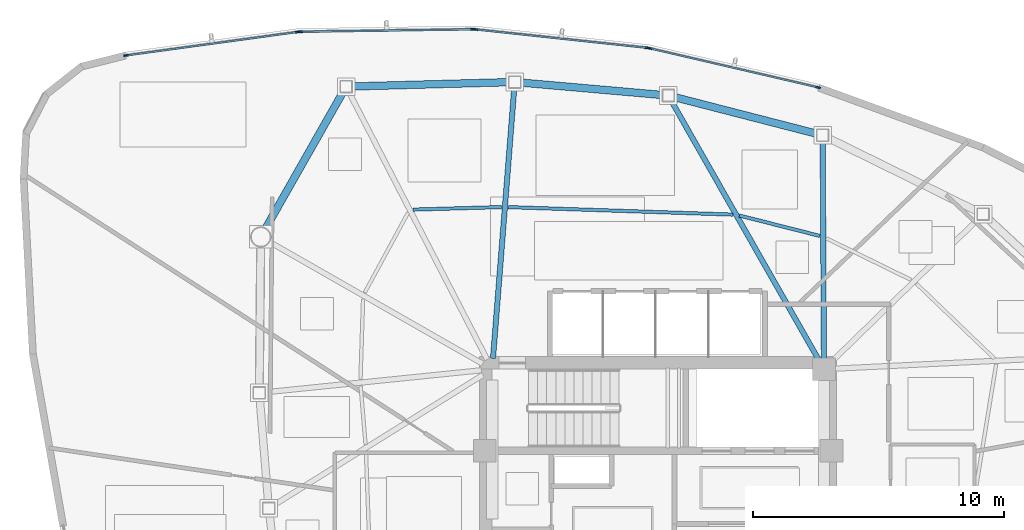
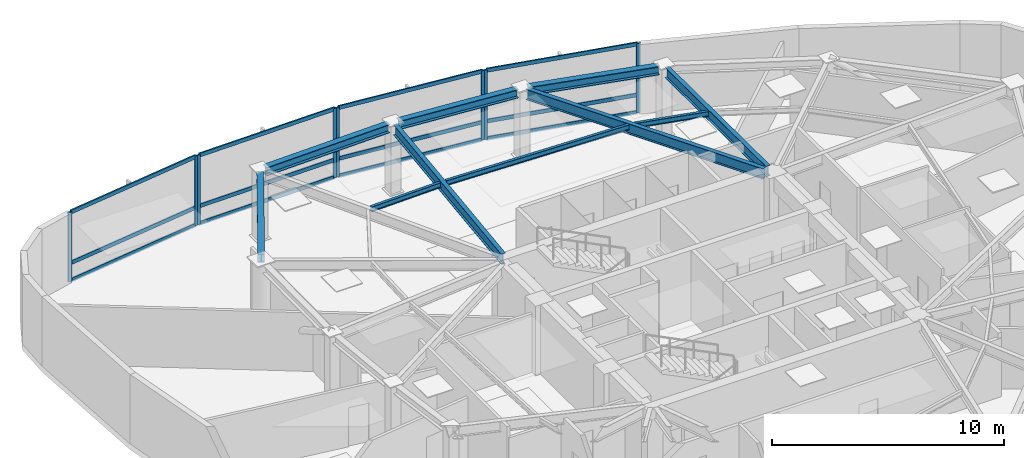
# One storey, part 6 of 14: 20 members, 10 beams, 4 elements without a shape of their own.
"""IFC4 building model written with IfcOpenShell, lengths in metres."""

from ifc_helpers import new_model, si_unit, direction, frame, origin, origin_2d, place, context, subcontext, project, spatial, hollow_rectangle, i_section, extrude, source, transform, mapped, material, layer, layer_set, material_profile, profile_set, type_object, type_shapes, element, aggregate, save


model = new_model("IFC4")

# Units and contexts
model_context = context("Model", 3, precision=1e-05, world=origin(), true_north=direction((0.0, 1.0)))
body_context = subcontext(model_context, "Body", "Model", "MODEL_VIEW")
ifc_project = project(units=[si_unit("LENGTHUNIT", "METRE"), si_unit("AREAUNIT", "SQUARE_METRE"), si_unit("VOLUMEUNIT", "CUBIC_METRE"), si_unit("PLANEANGLEUNIT", "RADIAN"), si_unit("MASSUNIT", "GRAM", prefix="KILO")], contexts=[model_context])

# Site, building, storey
site_placement = place(None, origin())
site = spatial("IfcSite", under=ifc_project, at=site_placement, CompositionType="ELEMENT")
building_placement = place(site_placement, origin())
building = spatial("IfcBuilding", under=site, at=building_placement, Name="Tavelor Broadcast Tower", CompositionType="ELEMENT")
storey_placement = place(building_placement, frame((0.0, 0.0, 253.75)))
storey = spatial("IfcBuildingStorey", under=building, at=storey_placement, Name="L60", CompositionType="ELEMENT", Elevation=253.75)

# Beams
ifc_material_1 = material(Name="Steel S355", Category="steel")
ifc_material_profile_1 = material_profile(ifc_material_1, i_section(OverallWidth=0.135009765625, OverallDepth=0.27001953125, WebThickness=0.006591796875, FlangeThickness=0.01025390625, at=origin_2d()), Name="IPE 270")
ifc_profile_set_1 = profile_set([ifc_material_profile_1], Name="Steel S355")
beam_type_1 = type_object("IfcBeamType", Name="Composite Floor Joist T6 IPE 270", PredefinedType="JOIST", material=ifc_profile_set_1)
beam_1_placement = place(storey_placement, frame((56.439208984375, 56.498779296875, 3.514892578125), z_axis=(-0.969346722977, 0.245696826706, 0.0), x_axis=(-0.245696826706, -0.969346722977, 0.0)))
element("IfcBeam", 1, at=beam_1_placement, inside=storey, type_object=beam_type_1, Name="L60 Secondary Composite Floor Joist 15", PredefinedType="JOIST", context=body_context, shape_type="SweptSolid", body=[
    extrude(i_section(OverallWidth=0.135009765625, OverallDepth=0.27001953125, WebThickness=0.006591796875, FlangeThickness=0.01025390625, at=origin_2d()), origin(), (0.0, 0.0, 1.0), 3.305908203125),
])
beam_2_placement = place(storey_placement, frame((52.970458984375, 57.348388671875, 3.514892578125), z_axis=(-0.999441322178, 0.033422201056, 0.0), x_axis=(-0.033422201056, -0.999441322178, 0.0)))
element("IfcBeam", 2, at=beam_2_placement, inside=storey, type_object=beam_type_1, Name="L60 Secondary Composite Floor Joist 16", PredefinedType="JOIST", context=body_context, shape_type="SweptSolid", body=[
    extrude(i_section(OverallWidth=0.135009765625, OverallDepth=0.27001953125, WebThickness=0.006591796875, FlangeThickness=0.01025390625, at=origin_2d()), origin(), (0.0, 0.0, 1.0), 8.93359375),
])
beam_3_placement = place(storey_placement, frame((43.773681640625, 57.647705078125, 3.514892578125), z_axis=(-0.999591520458, -0.028579577129, 0.0), x_axis=(0.028579577129, -0.999591520458, 0.0)))
element("IfcBeam", 3, at=beam_3_placement, inside=storey, type_object=beam_type_1, Name="L60 Secondary Composite Floor Joist 17", PredefinedType="JOIST", context=body_context, shape_type="SweptSolid", body=[
    extrude(i_section(OverallWidth=0.135009765625, OverallDepth=0.27001953125, WebThickness=0.006591796875, FlangeThickness=0.01025390625, at=origin_2d()), origin(), (0.0, 0.0, 1.0), 3.51953125),
])
ifc_material_profile_2 = material_profile(ifc_material_1, i_section(OverallWidth=0.300048828125, OverallDepth=0.449951171875, WebThickness=0.013916015625, FlangeThickness=0.02587890625, at=origin_2d()), Name="HEB 450")
ifc_profile_set_2 = profile_set([ifc_material_profile_2], Name="Steel S355")
beam_type_2 = type_object("IfcBeamType", Name="Perimeter Spandrel Beam T6 HEB 450", PredefinedType="SPANDREL", material=ifc_profile_set_2)
beam_4_placement = place(storey_placement, frame((56.313232421875, 60.56396484375, 3.425048828125), z_axis=(-0.968399822455, 0.249402854572, 0.0), x_axis=(-0.249402854572, -0.968399822455, 0.0)))
element("IfcBeam", 4, at=beam_4_placement, inside=storey, type_object=beam_type_2, Name="L60 Framed-Tube Ring Spandrel 15", PredefinedType="SPANDREL", context=body_context, shape_type="SweptSolid", body=[
    extrude(i_section(OverallWidth=0.300048828125, OverallDepth=0.449951171875, WebThickness=0.013916015625, FlangeThickness=0.02587890625, at=origin_2d()), origin(), (0.0, 0.0, 1.0), 5.858642578125),
])
beam_5_placement = place(storey_placement, frame((50.168212890625, 62.10595703125, 3.425048828125), z_axis=(-0.996167133993, 0.08747023009, 0.0), x_axis=(-0.08747023009, -0.996167133993, 0.0)))
element("IfcBeam", 5, at=beam_5_placement, inside=storey, type_object=beam_type_2, Name="L60 Framed-Tube Ring Spandrel 16", PredefinedType="SPANDREL", context=body_context, shape_type="SweptSolid", body=[
    extrude(i_section(OverallWidth=0.300048828125, OverallDepth=0.449951171875, WebThickness=0.013916015625, FlangeThickness=0.02587890625, at=origin_2d()), origin(), (0.0, 0.0, 1.0), 5.652099609375),
])
beam_6_placement = place(storey_placement, frame((44.058837890625, 62.61474609375, 3.425048828125), z_axis=(-0.99963121329, -0.027155798934, 0.0), x_axis=(0.027155798934, -0.99963121329, 0.0)))
element("IfcBeam", 6, at=beam_6_placement, inside=storey, type_object=beam_type_2, Name="L60 Framed-Tube Ring Spandrel 17", PredefinedType="SPANDREL", context=body_context, shape_type="SweptSolid", body=[
    extrude(i_section(OverallWidth=0.300048828125, OverallDepth=0.449951171875, WebThickness=0.013916015625, FlangeThickness=0.02587890625, at=origin_2d()), origin(), (0.0, 0.0, 1.0), 6.230224609375),
])
beam_7_placement = place(storey_placement, frame((37.472412109375, 62.23046875, 3.425048828125), z_axis=(-0.493720585512, -0.869620597411, 0.0), x_axis=(0.869620597411, -0.493720585512, 0.0)))
element("IfcBeam", 7, at=beam_7_placement, inside=storey, type_object=beam_type_2, Name="L60 Framed-Tube Ring Spandrel 18", PredefinedType="SPANDREL", context=body_context, shape_type="SweptSolid", body=[
    extrude(i_section(OverallWidth=0.300048828125, OverallDepth=0.449951171875, WebThickness=0.013916015625, FlangeThickness=0.02587890625, at=origin_2d()), origin(), (0.0, 0.0, 1.0), 6.245361328125),
])
ifc_material_profile_3 = material_profile(ifc_material_1, i_section(OverallWidth=0.2099609375, OverallDepth=0.550048828125, WebThickness=0.010986328125, FlangeThickness=0.01708984375, at=origin_2d()), Name="IPE 550")
ifc_profile_set_3 = profile_set([ifc_material_profile_3], Name="Steel S355")
beam_type_3 = type_object("IfcBeamType", Name="Radial Floor Girder T6 IPE 550", PredefinedType="BEAM", material=ifc_profile_set_3)
beam_8_placement = place(storey_placement, frame((56.597412109375, 51.632080078125, 3.375), z_axis=(-0.005826187281, 0.999983027627, 0.0), x_axis=(-0.999983027627, -0.005826187281, 0.0)))
element("IfcBeam", 8, at=beam_8_placement, inside=storey, type_object=beam_type_3, Name="L60 Radial Primary Floor Girder 15", PredefinedType="BEAM", context=body_context, shape_type="SweptSolid", body=[
    extrude(i_section(OverallWidth=0.2099609375, OverallDepth=0.550048828125, WebThickness=0.010986328125, FlangeThickness=0.01708984375, at=origin_2d()), origin(), (0.0, 0.0, 1.0), 8.63232421875),
])
beam_9_placement = place(storey_placement, frame((56.386474609375, 51.575439453125, 3.375), z_axis=(-0.49450305234, 0.869175891996, 0.0), x_axis=(-0.869175891996, -0.49450305234, 0.0)))
element("IfcBeam", 9, at=beam_9_placement, inside=storey, type_object=beam_type_3, Name="L60 Radial Primary Floor Girder 16", PredefinedType="BEAM", context=body_context, shape_type="SweptSolid", body=[
    extrude(i_section(OverallWidth=0.2099609375, OverallDepth=0.550048828125, WebThickness=0.010986328125, FlangeThickness=0.01708984375, at=origin_2d()), origin(), (0.0, 0.0, 1.0), 11.8515625),
])
beam_10_placement = place(storey_placement, frame((43.433837890625, 51.630615234375, 3.375), z_axis=(0.078462115784, 0.996917096045, 0.0), x_axis=(-0.996917096045, 0.078462115784, 0.0)))
element("IfcBeam", 10, at=beam_10_placement, inside=storey, type_object=beam_type_3, Name="L60 Radial Primary Floor Girder 17", PredefinedType="BEAM", context=body_context, shape_type="SweptSolid", body=[
    extrude(i_section(OverallWidth=0.2099609375, OverallDepth=0.550048828125, WebThickness=0.010986328125, FlangeThickness=0.01708984375, at=origin_2d()), origin(), (0.0, 0.0, 1.0), 10.78466796875),
])

# Curtain wall, members
ifc_material_2 = material(Name="Architectural Anodized Aluminium", Category="aluminium")
ifc_layer = layer(ifc_material_2, 0.199951171875)
ifc_layer_set = layer_set([ifc_layer], Name="Architectural Anodized Aluminium")
curtain_wall_type = type_object("IfcCurtainWallType", Name="Tower High-Zone Triple-Glazed Curtain Wall CW04", PredefinedType="NOTDEFINED", material=ifc_layer_set)
curtain_wall_1_placement = place(storey_placement, origin())
curtain_wall_1 = element("IfcCurtainWall", 11, at=curtain_wall_1_placement, inside=storey, type_object=curtain_wall_type, Name="L60 Curtain Wall CW04 Run 657", PredefinedType="NOTDEFINED")
ifc_material_profile_4 = material_profile(ifc_material_2, hollow_rectangle(XDim=0.070068359375, YDim=0.199951171875, WallThickness=0.02197265625, at=origin_2d()), Name="RHS 70x200x22")
ifc_profile_set_4 = profile_set([ifc_material_profile_4], Name="Architectural Anodized Aluminium")
member_type_1 = type_object("IfcMemberType", Name="CW04 Extruded Aluminium Mullion 70x200", PredefinedType="MULLION", material=ifc_profile_set_4)
shared_shape_1 = source(origin(), body_context, "Body", "SweptSolid", [
    extrude(hollow_rectangle(XDim=0.070068359375, YDim=0.199951171875, WallThickness=0.02197265625, at=origin_2d()), origin(), (0.0, 0.0, 1.0), 3.64990234375),
])
type_shapes(member_type_1, [shared_shape_1])
member_1_placement = place(storey_placement, frame((56.361083984375, 62.4072265625, 0.0), z_axis=(0.0, 0.0, 1.0), x_axis=(-0.226230375807, -0.974073825263, 0.0)))
member_1 = element("IfcMember", 12, at=member_1_placement, type_object=member_type_1, Name="CW04 mullion 1", PredefinedType="MULLION", context=body_context, shape_type="MappedRepresentation", body=[
    mapped(shared_shape_1, transform((0.0, 0.0, 0.0), scale=1.0)),
])
member_2_placement = place(storey_placement, frame((49.658203125, 63.964111328125, 0.0), z_axis=(0.0, 0.0, 1.0), x_axis=(-0.226230375807, -0.974073825263, 0.0)))
member_2 = element("IfcMember", 13, at=member_2_placement, type_object=member_type_1, Name="CW04 mullion 2", PredefinedType="MULLION", context=body_context, shape_type="MappedRepresentation", body=[
    mapped(shared_shape_1, transform((0.0, 0.0, 0.0), scale=1.0)),
])

curtain_wall_2_placement = place(storey_placement, origin())
curtain_wall_2 = element("IfcCurtainWall", 14, at=curtain_wall_2_placement, inside=storey, type_object=curtain_wall_type, Name="L60 Curtain Wall CW04 Run 658", PredefinedType="NOTDEFINED")
member_3_placement = place(storey_placement, frame((49.559814453125, 63.980712890625, 0.0), z_axis=(0.0, 0.0, 1.0), x_axis=(-0.106685327409, -0.994292834589, 0.0)))
member_3 = element("IfcMember", 15, at=member_3_placement, type_object=member_type_1, Name="CW04 mullion 1", PredefinedType="MULLION", context=body_context, shape_type="MappedRepresentation", body=[
    mapped(shared_shape_1, transform((0.0, 0.0, 0.0), scale=1.0)),
])
member_4_placement = place(storey_placement, frame((42.732666015625, 64.71337890625, 0.0), z_axis=(0.0, 0.0, 1.0), x_axis=(-0.106685327409, -0.994292834589, 0.0)))
member_4 = element("IfcMember", 16, at=member_4_placement, type_object=member_type_1, Name="CW04 mullion 2", PredefinedType="MULLION", context=body_context, shape_type="MappedRepresentation", body=[
    mapped(shared_shape_1, transform((0.0, 0.0, 0.0), scale=1.0)),
])

curtain_wall_3_placement = place(storey_placement, origin())
curtain_wall_3 = element("IfcCurtainWall", 17, at=curtain_wall_3_placement, inside=storey, type_object=curtain_wall_type, Name="L60 Curtain Wall CW04 Run 659", PredefinedType="NOTDEFINED")
member_5_placement = place(storey_placement, frame((42.6328125, 64.718017578125, 0.0), z_axis=(0.0, 0.0, 1.0), x_axis=(0.014402450874, -0.999896279325, 0.0)))
member_5 = element("IfcMember", 18, at=member_5_placement, type_object=member_type_1, Name="CW04 mullion 1", PredefinedType="MULLION", context=body_context, shape_type="MappedRepresentation", body=[
    mapped(shared_shape_1, transform((0.0, 0.0, 0.0), scale=1.0)),
])
member_6_placement = place(storey_placement, frame((35.767333984375, 64.618896484375, 0.0), z_axis=(0.0, 0.0, 1.0), x_axis=(0.014402450874, -0.999896279325, 0.0)))
member_6 = element("IfcMember", 19, at=member_6_placement, type_object=member_type_1, Name="CW04 mullion 2", PredefinedType="MULLION", context=body_context, shape_type="MappedRepresentation", body=[
    mapped(shared_shape_1, transform((0.0, 0.0, 0.0), scale=1.0)),
])

curtain_wall_4_placement = place(storey_placement, origin())
curtain_wall_4 = element("IfcCurtainWall", 20, at=curtain_wall_4_placement, inside=storey, type_object=curtain_wall_type, Name="L60 Curtain Wall CW04 Run 660", PredefinedType="NOTDEFINED")
member_7_placement = place(storey_placement, frame((35.667724609375, 64.611572265625, 0.0), z_axis=(0.0, 0.0, 1.0), x_axis=(0.135308974305, -0.990803452493, 0.0)))
member_7 = element("IfcMember", 21, at=member_7_placement, type_object=member_type_1, Name="CW04 mullion 1", PredefinedType="MULLION", context=body_context, shape_type="MappedRepresentation", body=[
    mapped(shared_shape_1, transform((0.0, 0.0, 0.0), scale=1.0)),
])
member_8_placement = place(storey_placement, frame((28.848876953125, 63.68017578125, 0.0), z_axis=(0.0, 0.0, 1.0), x_axis=(0.135308974305, -0.990803452493, 0.0)))
member_8 = element("IfcMember", 22, at=member_8_placement, type_object=member_type_1, Name="CW04 mullion 2", PredefinedType="MULLION", context=body_context, shape_type="MappedRepresentation", body=[
    mapped(shared_shape_1, transform((0.0, 0.0, 0.0), scale=1.0)),
])

# Member
ifc_material_profile_5 = material_profile(ifc_material_2, hollow_rectangle(XDim=0.070068359375, YDim=0.199951171875, WallThickness=0.02197265625, at=origin_2d()), Name="RHS 70x200x22")
ifc_profile_set_5 = profile_set([ifc_material_profile_5], Name="Architectural Anodized Aluminium")
member_type_2 = type_object("IfcMemberType", Name="CW04 Extruded Aluminium Transom 70x200", PredefinedType="USERDEFINED", material=ifc_profile_set_5)
shared_shape_2 = source(origin(), body_context, "Body", "SweptSolid", [
    extrude(hollow_rectangle(XDim=0.070068359375, YDim=0.199951171875, WallThickness=0.02197265625, at=origin_2d()), origin(), (0.0, 0.0, 1.0), 6.811279296875),
])
member_9_placement = place(storey_placement, frame((56.326904296875, 62.415283203125, 0.034912109375), z_axis=(-0.974079150742, 0.226207444816, 0.0), x_axis=(-0.226207444816, -0.974079150742, 0.0)))
member_9 = element("IfcMember", 23, at=member_9_placement, type_object=member_type_2, Name="CW04 transom 1.1", ObjectType="TRANSOM", PredefinedType="USERDEFINED", context=body_context, shape_type="MappedRepresentation", body=[
    mapped(shared_shape_2, transform((0.0, 0.0, 0.0), scale=1.0)),
])

member_10_placement = place(storey_placement, frame((56.326904296875, 62.415283203125, 0.949951171875), z_axis=(-0.974079150742, 0.226207444816, 0.0), x_axis=(-0.226207444816, -0.974079150742, 0.0)))
member_10 = element("IfcMember", 24, at=member_10_placement, type_object=member_type_2, Name="CW04 transom 1.2", ObjectType="TRANSOM", PredefinedType="USERDEFINED", context=body_context, shape_type="MappedRepresentation", body=[
    mapped(shared_shape_2, transform((0.0, 0.0, 0.0), scale=1.0)),
])

member_11_placement = place(storey_placement, frame((56.326904296875, 62.415283203125, 3.614990234375), z_axis=(-0.974079150742, 0.226207444816, 0.0), x_axis=(-0.226207444816, -0.974079150742, 0.0)))
member_11 = element("IfcMember", 25, at=member_11_placement, type_object=member_type_2, Name="CW04 transom 1.3", ObjectType="TRANSOM", PredefinedType="USERDEFINED", context=body_context, shape_type="MappedRepresentation", body=[
    mapped(shared_shape_2, transform((0.0, 0.0, 0.0), scale=1.0)),
])

aggregate(curtain_wall_1, [member_1, member_2, member_9, member_10, member_11])

shared_shape_3 = source(origin(), body_context, "Body", "SweptSolid", [
    extrude(hollow_rectangle(XDim=0.070068359375, YDim=0.199951171875, WallThickness=0.02197265625, at=origin_2d()), origin(), (0.0, 0.0, 1.0), 6.79638671875),
])
member_12_placement = place(storey_placement, frame((49.52490234375, 63.984375, 0.034912109375), z_axis=(-0.994292426275, 0.106689132773, 0.0), x_axis=(-0.106689132773, -0.994292426275, 0.0)))
member_12 = element("IfcMember", 26, at=member_12_placement, type_object=member_type_2, Name="CW04 transom 1.1", ObjectType="TRANSOM", PredefinedType="USERDEFINED", context=body_context, shape_type="MappedRepresentation", body=[
    mapped(shared_shape_3, transform((0.0, 0.0, 0.0), scale=1.0)),
])

member_13_placement = place(storey_placement, frame((49.52490234375, 63.984375, 0.949951171875), z_axis=(-0.994292426275, 0.106689132773, 0.0), x_axis=(-0.106689132773, -0.994292426275, 0.0)))
member_13 = element("IfcMember", 27, at=member_13_placement, type_object=member_type_2, Name="CW04 transom 1.2", ObjectType="TRANSOM", PredefinedType="USERDEFINED", context=body_context, shape_type="MappedRepresentation", body=[
    mapped(shared_shape_3, transform((0.0, 0.0, 0.0), scale=1.0)),
])

member_14_placement = place(storey_placement, frame((49.52490234375, 63.984375, 3.614990234375), z_axis=(-0.994292426275, 0.106689132773, 0.0), x_axis=(-0.106689132773, -0.994292426275, 0.0)))
member_14 = element("IfcMember", 28, at=member_14_placement, type_object=member_type_2, Name="CW04 transom 1.3", ObjectType="TRANSOM", PredefinedType="USERDEFINED", context=body_context, shape_type="MappedRepresentation", body=[
    mapped(shared_shape_3, transform((0.0, 0.0, 0.0), scale=1.0)),
])

aggregate(curtain_wall_2, [member_3, member_4, member_12, member_13, member_14])

member_15_placement = place(storey_placement, frame((42.597900390625, 64.71728515625, 0.034912109375), z_axis=(-0.999896761835, -0.014368913409, 0.0), x_axis=(0.014368913409, -0.999896761835, 0.0)))
member_15 = element("IfcMember", 29, at=member_15_placement, type_object=member_type_2, Name="CW04 transom 1.1", ObjectType="TRANSOM", PredefinedType="USERDEFINED", context=body_context, shape_type="MappedRepresentation", body=[
    mapped(shared_shape_3, transform((0.0, 0.0, 0.0), scale=1.0)),
])

member_16_placement = place(storey_placement, frame((42.597900390625, 64.71728515625, 0.949951171875), z_axis=(-0.999896761835, -0.014368913409, 0.0), x_axis=(0.014368913409, -0.999896761835, 0.0)))
member_16 = element("IfcMember", 30, at=member_16_placement, type_object=member_type_2, Name="CW04 transom 1.2", ObjectType="TRANSOM", PredefinedType="USERDEFINED", context=body_context, shape_type="MappedRepresentation", body=[
    mapped(shared_shape_3, transform((0.0, 0.0, 0.0), scale=1.0)),
])

member_17_placement = place(storey_placement, frame((42.597900390625, 64.71728515625, 3.614990234375), z_axis=(-0.999896761835, -0.014368913409, 0.0), x_axis=(0.014368913409, -0.999896761835, 0.0)))
member_17 = element("IfcMember", 31, at=member_17_placement, type_object=member_type_2, Name="CW04 transom 1.3", ObjectType="TRANSOM", PredefinedType="USERDEFINED", context=body_context, shape_type="MappedRepresentation", body=[
    mapped(shared_shape_3, transform((0.0, 0.0, 0.0), scale=1.0)),
])

aggregate(curtain_wall_3, [member_5, member_6, member_15, member_16, member_17])

shared_shape_4 = source(origin(), body_context, "Body", "SweptSolid", [
    extrude(hollow_rectangle(XDim=0.070068359375, YDim=0.199951171875, WallThickness=0.02197265625, at=origin_2d()), origin(), (0.0, 0.0, 1.0), 6.812255859375),
])
type_shapes(member_type_2, [shared_shape_2, shared_shape_3, shared_shape_4])
member_18_placement = place(storey_placement, frame((35.633056640625, 64.606689453125, 0.034912109375), z_axis=(-0.990805726067, -0.135292324962, 0.0), x_axis=(0.135292324962, -0.990805726067, 0.0)))
member_18 = element("IfcMember", 32, at=member_18_placement, type_object=member_type_2, Name="CW04 transom 1.1", ObjectType="TRANSOM", PredefinedType="USERDEFINED", context=body_context, shape_type="MappedRepresentation", body=[
    mapped(shared_shape_4, transform((0.0, 0.0, 0.0), scale=1.0)),
])

member_19_placement = place(storey_placement, frame((35.633056640625, 64.606689453125, 0.949951171875), z_axis=(-0.990805726067, -0.135292324962, 0.0), x_axis=(0.135292324962, -0.990805726067, 0.0)))
member_19 = element("IfcMember", 33, at=member_19_placement, type_object=member_type_2, Name="CW04 transom 1.2", ObjectType="TRANSOM", PredefinedType="USERDEFINED", context=body_context, shape_type="MappedRepresentation", body=[
    mapped(shared_shape_4, transform((0.0, 0.0, 0.0), scale=1.0)),
])

member_20_placement = place(storey_placement, frame((35.633056640625, 64.606689453125, 3.614990234375), z_axis=(-0.990805726067, -0.135292324962, 0.0), x_axis=(0.135292324962, -0.990805726067, 0.0)))
member_20 = element("IfcMember", 34, at=member_20_placement, type_object=member_type_2, Name="CW04 transom 1.3", ObjectType="TRANSOM", PredefinedType="USERDEFINED", context=body_context, shape_type="MappedRepresentation", body=[
    mapped(shared_shape_4, transform((0.0, 0.0, 0.0), scale=1.0)),
])

aggregate(curtain_wall_4, [member_7, member_8, member_18, member_19, member_20])

save(model, "model.ifc")
